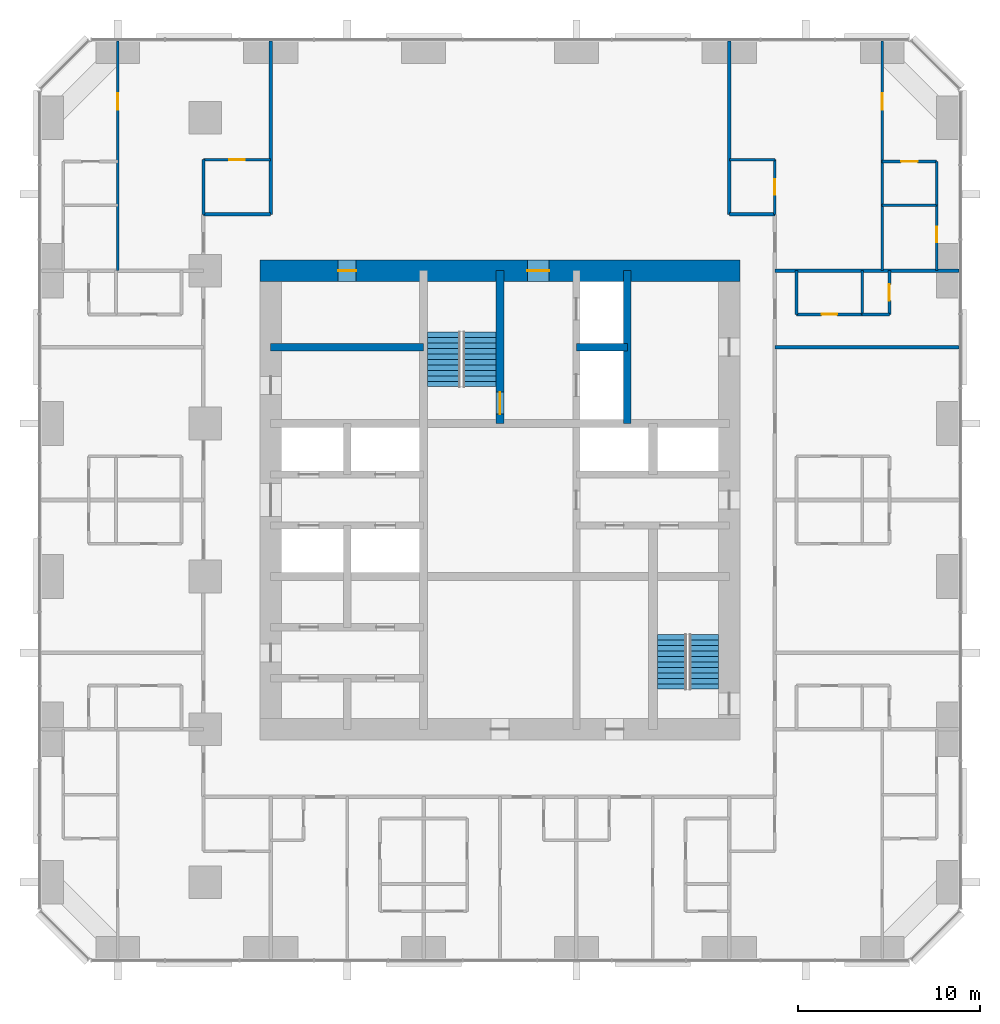
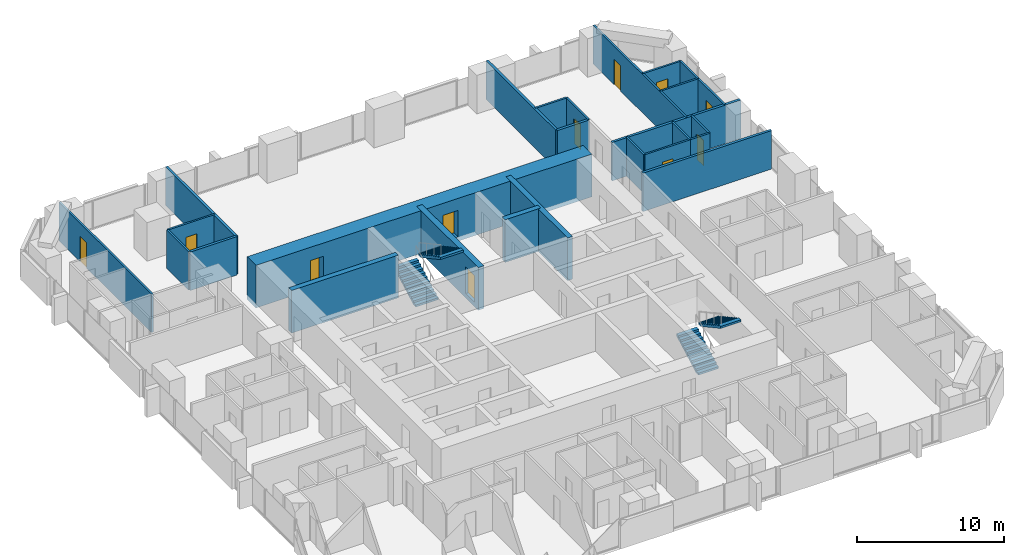
# One storey, part 12 of 13: 26 walls, 11 doors, 4 stair flights, 11 openings, 2 elements without a shape of their own.
"""IFC4 building model written with IfcOpenShell, lengths in metres."""

from ifc_helpers import new_model, si_unit, direction, frame, frame_2d, origin, place, context, subcontext, project, spatial, polyline, rectangle, outline, extrude, material, layer, layer_set, type_object, element, fill, aggregate, save


model = new_model("IFC4")

# Units and contexts
model_context = context("Model", 3, precision=1e-05, world=origin(), true_north=direction((0.0, 1.0)))
body_context = subcontext(model_context, "Body", "Model", "MODEL_VIEW")
ifc_project = project(units=[si_unit("LENGTHUNIT", "METRE"), si_unit("AREAUNIT", "SQUARE_METRE"), si_unit("VOLUMEUNIT", "CUBIC_METRE"), si_unit("PLANEANGLEUNIT", "RADIAN"), si_unit("MASSUNIT", "GRAM", prefix="KILO")], contexts=[model_context])

# Site, building, storey
site_placement = place(None, origin())
site = spatial("IfcSite", under=ifc_project, at=site_placement, CompositionType="ELEMENT")
building_placement = place(site_placement, origin())
building = spatial("IfcBuilding", under=site, at=building_placement, Name="Dunama Terrace Hotel", CompositionType="ELEMENT")
storey_placement = place(building_placement, frame((0.0, 0.0, 216.60009765625)))
storey = spatial("IfcBuildingStorey", under=building, at=storey_placement, Name="L56", CompositionType="ELEMENT", Elevation=216.60009765625)

# Wall
ifc_material_1 = material(Name="Gypsum board partition", Category="masonry")
ifc_layer_1 = layer(ifc_material_1, 0.14990234375)
ifc_layer_set_1 = layer_set([ifc_layer_1], Name="Bathroom partition 150")
wall_type_1 = type_object("IfcWallType", Name="Bathroom partition 150", PredefinedType="PARTITIONING", material=ifc_layer_set_1)
wall_1_placement = place(storey_placement, frame((13.10009765625, 45.10009765625, 0.0), z_axis=(0.0, 0.0, 1.0), x_axis=(0.0, 1.0, 0.0)))
element("IfcWall", 1, at=wall_1_placement, inside=storey, type_object=wall_type_1, Name="Bathroom partition 150 L56", PredefinedType="PARTITIONING", context=body_context, shape_type="SweptSolid", body=[
    extrude(rectangle(XDim=3.0, YDim=0.14990234375, at=frame_2d((1.5, 0.0))), origin(), (0.0, 0.0, 1.0), 3.199951171875),
])

# Wall, opening, door
wall_2_placement = place(storey_placement, frame((44.5, 45.10009765625, 0.0), z_axis=(0.0, 0.0, 1.0), x_axis=(0.0, 1.0, 0.0)))
wall_2 = element("IfcWall", 2, at=wall_2_placement, inside=storey, type_object=wall_type_1, Name="Bathroom partition 150 L56", PredefinedType="PARTITIONING", context=body_context, shape_type="SweptSolid", body=[
    extrude(rectangle(XDim=3.0, YDim=0.14990234375, at=frame_2d((1.5, 0.0))), origin(), (0.0, 0.0, 1.0), 3.199951171875),
])
opening_1_placement = place(wall_2_placement, frame((1.074951171875, 0.0, 0.0)))
opening_1 = element("IfcOpeningElement", 3, at=opening_1_placement, cuts=wall_2, Name="Opening L56-059", PredefinedType="OPENING", context=body_context, shape_type="SweptSolid", body=[
    extrude(rectangle(XDim=0.85009765625, YDim=2.10009765625, at=frame_2d((0.425048828125, 1.050048828125))), frame((0.0, 0.0849609375, 0.0), z_axis=(0.0, -1.0, 0.0), x_axis=(1.0, 0.0, 0.0)), (0.0, 0.0, 1.0), 0.169921875),
])
ifc_material_2 = material(Name="Timber door with steel frame", Category="steel")
door_type_1 = type_object("IfcDoorType", Name="Bathroom door 850", OperationType="SINGLE_SWING_LEFT", PredefinedType="DOOR", material=ifc_material_2)
door_1_placement = place(opening_1_placement, origin())
door_1 = element("IfcDoor", 4, at=door_1_placement, inside=storey, type_object=door_type_1, Name="Door to powder room L56-059, type D2", OperationType="SINGLE_SWING_LEFT", OverallHeight=2.10009765625, OverallWidth=0.85009765625, PredefinedType="DOOR", context=body_context, shape_type="SweptSolid", body=[
    extrude(rectangle(XDim=0.85009765625, YDim=2.10009765625, at=frame_2d((0.425048828125, 1.050048828125))), frame((0.0, 0.02490234375, 0.0), z_axis=(0.0, -1.0, 0.0), x_axis=(1.0, 0.0, 0.0)), (0.0, 0.0, 1.0), 0.050048828125),
])
fill(opening_1, door_1)

# Wall
wall_3_placement = place(storey_placement, frame((45.699951171875, 39.60009765625, 0.0), z_axis=(0.0, 0.0, 1.0), x_axis=(0.0, 1.0, 0.0)))
element("IfcWall", 5, at=wall_3_placement, inside=storey, type_object=wall_type_1, Name="Bathroom partition 150 L56", PredefinedType="PARTITIONING", context=body_context, shape_type="SweptSolid", body=[
    extrude(rectangle(XDim=2.39990234375, YDim=0.14990234375, at=frame_2d((1.199951171875, 0.0))), origin(), (0.0, 0.0, 1.0), 3.199951171875),
])

# Wall, opening, door
wall_4_placement = place(storey_placement, frame((53.39990234375, 42.0, 0.0), z_axis=(0.0, 0.0, 1.0), x_axis=(0.0, 1.0, 0.0)))
wall_4 = element("IfcWall", 6, at=wall_4_placement, inside=storey, type_object=wall_type_1, Name="Bathroom partition 150 L56", PredefinedType="PARTITIONING", context=body_context, shape_type="SweptSolid", body=[
    extrude(rectangle(XDim=3.60009765625, YDim=0.14990234375, at=frame_2d((1.800048828125, 0.0))), origin(), (0.0, 0.0, 1.0), 3.199951171875),
])
opening_2_placement = place(wall_4_placement, frame((1.574951171875, 0.0, 0.0)))
opening_2 = element("IfcOpeningElement", 7, at=opening_2_placement, cuts=wall_4, Name="Opening L56-061", PredefinedType="OPENING", context=body_context, shape_type="SweptSolid", body=[
    extrude(rectangle(XDim=0.85009765625, YDim=2.10009765625, at=frame_2d((0.425048828125, 1.050048828125))), frame((0.0, 0.0849609375, 0.0), z_axis=(0.0, -1.0, 0.0), x_axis=(1.0, 0.0, 0.0)), (0.0, 0.0, 1.0), 0.169921875),
])
door_2_placement = place(opening_2_placement, origin())
door_2 = element("IfcDoor", 8, at=door_2_placement, inside=storey, type_object=door_type_1, Name="Door to en-suite bathroom L56-061, type D2", OperationType="SINGLE_SWING_LEFT", OverallHeight=2.10009765625, OverallWidth=0.85009765625, PredefinedType="DOOR", context=body_context, shape_type="SweptSolid", body=[
    extrude(rectangle(XDim=0.85009765625, YDim=2.10009765625, at=frame_2d((0.425048828125, 1.050048828125))), frame((0.0, 0.02490234375, 0.0), z_axis=(0.0, -1.0, 0.0), x_axis=(1.0, 0.0, 0.0)), (0.0, 0.0, 1.0), 0.050048828125),
])
fill(opening_2, door_2)

wall_5_placement = place(storey_placement, frame((45.699951171875, 39.60009765625, 0.0), z_axis=(0.0, 0.0, 1.0), x_axis=(1.0, 0.0, 0.0)))
wall_5 = element("IfcWall", 9, at=wall_5_placement, inside=storey, type_object=wall_type_1, Name="Bathroom partition 150 L56", PredefinedType="PARTITIONING", context=body_context, shape_type="SweptSolid", body=[
    extrude(rectangle(XDim=3.60009765625, YDim=0.14990234375, at=frame_2d((1.800048828125, 0.0))), origin(), (0.0, 0.0, 1.0), 3.199951171875),
])
opening_3_placement = place(wall_5_placement, frame((1.375, 0.0, 0.0)))
opening_3 = element("IfcOpeningElement", 10, at=opening_3_placement, cuts=wall_5, Name="Opening L56-034", PredefinedType="OPENING", context=body_context, shape_type="SweptSolid", body=[
    extrude(rectangle(XDim=0.85009765625, YDim=2.10009765625, at=frame_2d((0.425048828125, 1.050048828125))), frame((0.0, 0.0849609375, 0.0), z_axis=(0.0, -1.0, 0.0), x_axis=(1.0, 0.0, 0.0)), (0.0, 0.0, 1.0), 0.169921875),
])
door_3_placement = place(opening_3_placement, origin())
door_3 = element("IfcDoor", 11, at=door_3_placement, inside=storey, type_object=door_type_1, Name="Door to en-suite bathroom L56-034, type D2", OperationType="SINGLE_SWING_RIGHT", OverallHeight=2.10009765625, OverallWidth=0.85009765625, PredefinedType="DOOR", context=body_context, shape_type="SweptSolid", body=[
    extrude(rectangle(XDim=0.85009765625, YDim=2.10009765625, at=frame_2d((0.425048828125, 1.050048828125))), frame((0.0, 0.02490234375, 0.0), z_axis=(0.0, -1.0, 0.0), x_axis=(1.0, 0.0, 0.0)), (0.0, 0.0, 1.0), 0.050048828125),
])
fill(opening_3, door_3)

wall_6_placement = place(storey_placement, frame((13.10009765625, 48.10009765625, 0.0), z_axis=(0.0, 0.0, 1.0), x_axis=(1.0, 0.0, 0.0)))
wall_6 = element("IfcWall", 12, at=wall_6_placement, inside=storey, type_object=wall_type_1, Name="Bathroom partition 150 L56", PredefinedType="PARTITIONING", context=body_context, shape_type="SweptSolid", body=[
    extrude(rectangle(XDim=3.699951171875, YDim=0.14990234375, at=frame_2d((1.85009765625, 0.0))), origin(), (0.0, 0.0, 1.0), 3.199951171875),
])
opening_4_placement = place(wall_6_placement, frame((1.425048828125, 0.0, 0.0)))
opening_4 = element("IfcOpeningElement", 13, at=opening_4_placement, cuts=wall_6, Name="Opening L56-064", PredefinedType="OPENING", context=body_context, shape_type="SweptSolid", body=[
    extrude(rectangle(XDim=0.85009765625, YDim=2.10009765625, at=frame_2d((0.425048828125, 1.050048828125))), frame((0.0, 0.0849609375, 0.0), z_axis=(0.0, -1.0, 0.0), x_axis=(1.0, 0.0, 0.0)), (0.0, 0.0, 1.0), 0.169921875),
])
door_4_placement = place(opening_4_placement, frame((0.85009765625, 0.0, 0.0), z_axis=(0.0, 0.0, 1.0), x_axis=(-1.0, 0.0, 0.0)))
door_4 = element("IfcDoor", 14, at=door_4_placement, inside=storey, type_object=door_type_1, Name="Door to powder room L56-064, type D2", OperationType="SINGLE_SWING_LEFT", OverallHeight=2.10009765625, OverallWidth=0.85009765625, PredefinedType="DOOR", context=body_context, shape_type="SweptSolid", body=[
    extrude(rectangle(XDim=0.85009765625, YDim=2.10009765625, at=frame_2d((0.425048828125, 1.050048828125))), frame((0.0, 0.025146484375, 0.0), z_axis=(0.0, -1.0, 0.0), x_axis=(1.0, 0.0, 0.0)), (0.0, 0.0, 1.0), 0.050048828125),
])
fill(opening_4, door_4)

# Walls
wall_7_placement = place(storey_placement, frame((42.0, 48.10009765625, 0.0), z_axis=(0.0, 0.0, 1.0), x_axis=(1.0, 0.0, 0.0)))
element("IfcWall", 15, at=wall_7_placement, inside=storey, type_object=wall_type_1, Name="Bathroom partition 150 L56", PredefinedType="PARTITIONING", context=body_context, shape_type="SweptSolid", body=[
    extrude(rectangle(XDim=2.5, YDim=0.14990234375, at=frame_2d((1.25, 0.0))), origin(), (0.0, 0.0, 1.0), 3.199951171875),
])
ifc_material_3 = material(Name="Concrete C50/60", Category="concrete")
ifc_layer_2 = layer(ifc_material_3, 0.39990234375)
ifc_layer_set_2 = layer_set([ifc_layer_2], Name="Core inner wall 400")
wall_type_2 = type_object("IfcWallType", Name="Core inner wall 400", PredefinedType="SHEAR", material=ifc_layer_set_2)
for number, where, z_axis, x_axis, name in (
    (16, (36.39990234375, 33.60009765625, -0.35009765625), (0.0, 0.0, 1.0), (0.0, 1.0, 0.0), "Core inner wall 400 L56"),
    (17, (16.800048828125, 37.800048828125, -0.35009765625), (0.0, 0.0, 1.0), (1.0, 0.0, 0.0), "Core inner wall 400 L56"),
):
    element("IfcWall", number, at=place(storey_placement, frame(where, z_axis=z_axis, x_axis=x_axis)), inside=storey, type_object=wall_type_2, Name=name, PredefinedType="SHEAR", context=body_context, shape_type="SweptSolid", body=[
        extrude(rectangle(XDim=8.39990234375, YDim=0.39990234375, at=frame_2d((4.199951171875, 0.0))), origin(), (0.0, 0.0, 1.0), 3.550048828125),
    ])
wall_8_placement = place(storey_placement, frame((33.60009765625, 37.800048828125, -0.35009765625), z_axis=(0.0, 0.0, 1.0), x_axis=(1.0, 0.0, 0.0)))
element("IfcWall", 18, at=wall_8_placement, inside=storey, type_object=wall_type_2, Name="Core inner wall 400 L56", PredefinedType="SHEAR", context=body_context, shape_type="SweptSolid", body=[
    extrude(rectangle(XDim=2.7998046875, YDim=0.39990234375, at=frame_2d((1.39990234375, 0.0))), origin(), (0.0, 0.0, 1.0), 3.550048828125),
])

# Wall, opening, door
ifc_material_4 = material(Name="Concrete C50/60", Category="concrete")
ifc_layer_3 = layer(ifc_material_4, 0.449951171875)
ifc_layer_set_3 = layer_set([ifc_layer_3], Name="Core inner wall 450")
wall_type_3 = type_object("IfcWallType", Name="Core inner wall 450", PredefinedType="SHEAR", material=ifc_layer_set_3)
wall_9_placement = place(storey_placement, frame((29.39990234375, 33.60009765625, -0.35009765625), z_axis=(0.0, 0.0, 1.0), x_axis=(0.0, 1.0, 0.0)))
wall_9 = element("IfcWall", 19, at=wall_9_placement, inside=storey, type_object=wall_type_3, Name="Core inner wall 450 L56", PredefinedType="SHEAR", context=body_context, shape_type="SweptSolid", body=[
    extrude(rectangle(XDim=8.39990234375, YDim=0.449951171875, at=frame_2d((4.199951171875, 0.0))), origin(), (0.0, 0.0, 1.0), 3.550048828125),
])
opening_5_placement = place(wall_9_placement, frame((0.52490234375, 0.0, 0.35009765625)))
opening_5 = element("IfcOpeningElement", 20, at=opening_5_placement, cuts=wall_9, Name="Opening L56-001", PredefinedType="OPENING", context=body_context, shape_type="SweptSolid", body=[
    extrude(rectangle(XDim=1.199951171875, YDim=2.199951171875, at=frame_2d((0.60009765625, 1.10009765625))), frame((0.0, 0.23486328125, 0.0), z_axis=(0.0, -1.0, 0.0), x_axis=(1.0, 0.0, 0.0)), (0.0, 0.0, 1.0), 0.469970703125),
])
ifc_material_5 = material(Name="Timber door with steel frame", Category="steel")
door_type_2 = type_object("IfcDoorType", Name="Stair door 1200", OperationType="SINGLE_SWING_LEFT", PredefinedType="DOOR", material=ifc_material_5)
door_5_placement = place(opening_5_placement, origin())
door_5 = element("IfcDoor", 21, at=door_5_placement, inside=storey, type_object=door_type_2, Name="Stair door ST1 L56-001, type D5", OperationType="SINGLE_SWING_LEFT", OverallHeight=2.199951171875, OverallWidth=1.199951171875, PredefinedType="DOOR", context=body_context, shape_type="SweptSolid", body=[
    extrude(rectangle(XDim=1.199951171875, YDim=2.199951171875, at=frame_2d((0.60009765625, 1.10009765625))), frame((0.0, 0.02490234375, 0.0), z_axis=(0.0, -1.0, 0.0), x_axis=(1.0, 0.0, 0.0)), (0.0, 0.0, 1.0), 0.050048828125),
])
fill(opening_5, door_5)

# Wall, openings, doors
ifc_material_6 = material(Name="Concrete C60/75", Category="concrete")
ifc_layer_4 = layer(ifc_material_6, 1.199951171875)
ifc_layer_set_4 = layer_set([ifc_layer_4], Name="Core wall 1200")
wall_type_4 = type_object("IfcWallType", Name="Core wall 1200", PredefinedType="SHEAR", material=ifc_layer_set_4)
wall_10_placement = place(storey_placement, frame((42.60009765625, 42.0, -0.35009765625), z_axis=(0.0, 0.0, 1.0), x_axis=(-1.0, 0.0, 0.0)))
wall_10 = element("IfcWall", 22, at=wall_10_placement, inside=storey, type_object=wall_type_4, Name="Core wall north L56", PredefinedType="SHEAR", context=body_context, shape_type="SweptSolid", body=[
    extrude(rectangle(XDim=26.400146484375, YDim=1.199951171875, at=frame_2d((13.2001953125, 0.0))), origin(), (0.0, 0.0, 1.0), 3.550048828125),
])
opening_6_placement = place(wall_10_placement, frame((21.10009765625, 0.0, 0.35009765625)))
opening_6 = element("IfcOpeningElement", 23, at=opening_6_placement, cuts=wall_10, Name="Opening L56-075", PredefinedType="OPENING", context=body_context, shape_type="SweptSolid", body=[
    extrude(rectangle(XDim=1.0, YDim=2.10009765625, at=frame_2d((0.5, 1.050048828125))), frame((0.0, 0.60986328125, 0.0), z_axis=(0.0, -1.0, 0.0), x_axis=(1.0, 0.0, 0.0)), (0.0, 0.0, 1.0), 1.219970703125),
])
opening_7_placement = place(wall_10_placement, frame((10.5, 0.0, 0.35009765625)))
opening_7 = element("IfcOpeningElement", 24, at=opening_7_placement, cuts=wall_10, Name="Opening L56-080", PredefinedType="OPENING", context=body_context, shape_type="SweptSolid", body=[
    extrude(rectangle(XDim=1.199951171875, YDim=2.199951171875, at=frame_2d((0.60009765625, 1.10009765625))), frame((0.0, 0.60986328125, 0.0), z_axis=(0.0, -1.0, 0.0), x_axis=(1.0, 0.0, 0.0)), (0.0, 0.0, 1.0), 1.219970703125),
])
ifc_material_7 = material(Name="Timber door with steel frame", Category="steel")
door_type_3 = type_object("IfcDoorType", Name="Firefighting lobby door 1200", OperationType="SINGLE_SWING_LEFT", PredefinedType="DOOR", material=ifc_material_7)
door_6_placement = place(opening_7_placement, origin())
door_6 = element("IfcDoor", 25, at=door_6_placement, inside=storey, type_object=door_type_3, Name="Door to firefighting lobby L56-080, type D4", OperationType="SINGLE_SWING_RIGHT", OverallHeight=2.199951171875, OverallWidth=1.199951171875, PredefinedType="DOOR", context=body_context, shape_type="SweptSolid", body=[
    extrude(rectangle(XDim=1.199951171875, YDim=2.199951171875, at=frame_2d((0.60009765625, 1.10009765625))), frame((0.0, 0.02490234375, 0.0), z_axis=(0.0, -1.0, 0.0), x_axis=(1.0, 0.0, 0.0)), (0.0, 0.0, 1.0), 0.050048828125),
])
fill(opening_7, door_6)
ifc_material_8 = material(Name="Timber door with steel frame", Category="steel")
door_type_4 = type_object("IfcDoorType", Name="Service door 1000", OperationType="SINGLE_SWING_LEFT", PredefinedType="DOOR", material=ifc_material_8)
door_7_placement = place(opening_6_placement, origin())
door_7 = element("IfcDoor", 26, at=door_7_placement, inside=storey, type_object=door_type_4, Name="Door to communications and riser room L56-075, type D7", OperationType="SINGLE_SWING_LEFT", OverallHeight=2.10009765625, OverallWidth=1.0, PredefinedType="DOOR", context=body_context, shape_type="SweptSolid", body=[
    extrude(rectangle(XDim=1.0, YDim=2.10009765625, at=frame_2d((0.5, 1.050048828125))), frame((0.0, 0.02490234375, 0.0), z_axis=(0.0, -1.0, 0.0), x_axis=(1.0, 0.0, 0.0)), (0.0, 0.0, 1.0), 0.050048828125),
])
fill(opening_6, door_7)

# Walls
ifc_material_9 = material(Name="Concrete blockwork", Category="masonry")
ifc_layer_5 = layer(ifc_material_9, 0.199951171875)
ifc_layer_set_5 = layer_set([ifc_layer_5], Name="Corridor partition 200")
wall_type_5 = type_object("IfcWallType", Name="Corridor partition 200", PredefinedType="PARTITIONING", material=ifc_layer_set_5)
wall_11_placement = place(storey_placement, frame((16.800048828125, 45.10009765625, 0.0), z_axis=(0.0, 0.0, 1.0), x_axis=(0.0, 1.0, 0.0)))
element("IfcWall", 27, at=wall_11_placement, inside=storey, type_object=wall_type_5, Name="Corridor partition 200 L56", PredefinedType="PARTITIONING", context=body_context, shape_type="SweptSolid", body=[
    extrude(rectangle(XDim=9.517822265625, YDim=0.199951171875, at=frame_2d((4.7587890625, 0.0))), origin(), (0.0, 0.0, 1.0), 3.199951171875),
])
wall_12_placement = place(storey_placement, frame((13.10009765625, 45.10009765625, 0.0), z_axis=(0.0, 0.0, 1.0), x_axis=(1.0, 0.0, 0.0)))
element("IfcWall", 28, at=wall_12_placement, inside=storey, type_object=wall_type_5, Name="Corridor partition 200 L56", PredefinedType="PARTITIONING", context=body_context, shape_type="SweptSolid", body=[
    extrude(rectangle(XDim=3.699951171875, YDim=0.199951171875, at=frame_2d((1.85009765625, 0.0))), origin(), (0.0, 0.0, 1.0), 3.199951171875),
])
wall_13_placement = place(storey_placement, frame((42.0, 45.10009765625, 0.0), z_axis=(0.0, 0.0, 1.0), x_axis=(1.0, 0.0, 0.0)))
element("IfcWall", 29, at=wall_13_placement, inside=storey, type_object=wall_type_5, Name="Corridor partition 200 L56", PredefinedType="PARTITIONING", context=body_context, shape_type="SweptSolid", body=[
    extrude(rectangle(XDim=2.5, YDim=0.199951171875, at=frame_2d((1.25, 0.0))), origin(), (0.0, 0.0, 1.0), 3.199951171875),
])
wall_14_placement = place(storey_placement, frame((42.0, 54.617919921875, 0.0), z_axis=(0.0, 0.0, 1.0), x_axis=(0.0, -1.0, 0.0)))
element("IfcWall", 30, at=wall_14_placement, inside=storey, type_object=wall_type_5, Name="Corridor partition 200 L56", PredefinedType="PARTITIONING", context=body_context, shape_type="SweptSolid", body=[
    extrude(rectangle(XDim=9.517822265625, YDim=0.199951171875, at=frame_2d((4.7587890625, 0.0))), origin(), (0.0, 0.0, 1.0), 3.199951171875),
])
ifc_material_10 = material(Name="Concrete blockwork", Category="masonry")
ifc_layer_6 = layer(ifc_material_10, 0.199951171875)
ifc_layer_set_6 = layer_set([ifc_layer_6], Name="Party wall 200")
wall_type_6 = type_object("IfcWallType", Name="Party wall 200", PredefinedType="PARTITIONING", material=ifc_layer_set_6)
for number, where, z_axis, x_axis, name in (
    (31, (44.5, 37.800048828125, 0.0), (0.0, 0.0, 1.0), (1.0, 0.0, 0.0), "Party wall 200 L56"),
    (32, (44.5, 42.0, 0.0), (0.0, 0.0, 1.0), (1.0, 0.0, 0.0), "Party wall 200 L56"),
):
    element("IfcWall", number, at=place(storey_placement, frame(where, z_axis=z_axis, x_axis=x_axis)), inside=storey, type_object=wall_type_6, Name=name, PredefinedType="PARTITIONING", context=body_context, shape_type="SweptSolid", body=[
        extrude(rectangle(XDim=10.117919921875, YDim=0.199951171875, at=frame_2d((5.05908203125, 0.0))), origin(), (0.0, 0.0, 1.0), 3.199951171875),
    ])

# Wall, opening, door
ifc_material_11 = material(Name="Gypsum board partition", Category="masonry")
ifc_layer_7 = layer(ifc_material_11, 0.14990234375)
ifc_layer_set_7 = layer_set([ifc_layer_7], Name="Room partition 150")
wall_type_7 = type_object("IfcWallType", Name="Room partition 150", PredefinedType="PARTITIONING", material=ifc_layer_set_7)
wall_15_placement = place(storey_placement, frame((8.39990234375, 42.0, 0.0), z_axis=(0.0, 0.0, 1.0), x_axis=(0.0, 1.0, 0.0)))
wall_15 = element("IfcWall", 33, at=wall_15_placement, inside=storey, type_object=wall_type_7, Name="Room partition 150 L56", PredefinedType="PARTITIONING", context=body_context, shape_type="SweptSolid", body=[
    extrude(rectangle(XDim=12.617919921875, YDim=0.14990234375, at=frame_2d((6.30908203125, 0.0))), origin(), (0.0, 0.0, 1.0), 3.199951171875),
])
opening_8_placement = place(wall_15_placement, frame((8.85009765625, 0.0, 0.0)))
opening_8 = element("IfcOpeningElement", 34, at=opening_8_placement, cuts=wall_15, Name="Opening L56-065", PredefinedType="OPENING", context=body_context, shape_type="SweptSolid", body=[
    extrude(rectangle(XDim=0.89990234375, YDim=2.10009765625, at=frame_2d((0.449951171875, 1.050048828125))), frame((0.0, 0.0849609375, 0.0), z_axis=(0.0, -1.0, 0.0), x_axis=(1.0, 0.0, 0.0)), (0.0, 0.0, 1.0), 0.169921875),
])
ifc_material_12 = material(Name="Timber door with steel frame", Category="steel")
door_type_5 = type_object("IfcDoorType", Name="Suite internal door 900", OperationType="SINGLE_SWING_LEFT", PredefinedType="DOOR", material=ifc_material_12)
door_8_placement = place(opening_8_placement, origin())
door_8 = element("IfcDoor", 35, at=door_8_placement, inside=storey, type_object=door_type_5, Name="Door to corner suite bedroom L56-065, type D16", OperationType="SINGLE_SWING_RIGHT", OverallHeight=2.10009765625, OverallWidth=0.89990234375, PredefinedType="DOOR", context=body_context, shape_type="SweptSolid", body=[
    extrude(rectangle(XDim=0.89990234375, YDim=2.10009765625, at=frame_2d((0.449951171875, 1.050048828125))), frame((0.0, 0.02490234375, 0.0), z_axis=(0.0, -1.0, 0.0), x_axis=(1.0, 0.0, 0.0)), (0.0, 0.0, 1.0), 0.050048828125),
])
fill(opening_8, door_8)

# Wall
wall_16_placement = place(storey_placement, frame((49.300048828125, 39.60009765625, 0.0), z_axis=(0.0, 0.0, 1.0), x_axis=(0.0, 1.0, 0.0)))
element("IfcWall", 36, at=wall_16_placement, inside=storey, type_object=wall_type_7, Name="Room partition 150 L56", PredefinedType="PARTITIONING", context=body_context, shape_type="SweptSolid", body=[
    extrude(rectangle(XDim=2.39990234375, YDim=0.14990234375, at=frame_2d((1.199951171875, 0.0))), origin(), (0.0, 0.0, 1.0), 3.199951171875),
])

# Wall, opening, door
wall_17_placement = place(storey_placement, frame((50.39990234375, 42.0, 0.0), z_axis=(0.0, 0.0, 1.0), x_axis=(0.0, 1.0, 0.0)))
wall_17 = element("IfcWall", 37, at=wall_17_placement, inside=storey, type_object=wall_type_7, Name="Room partition 150 L56", PredefinedType="PARTITIONING", context=body_context, shape_type="SweptSolid", body=[
    extrude(rectangle(XDim=12.617919921875, YDim=0.14990234375, at=frame_2d((6.30908203125, 0.0))), origin(), (0.0, 0.0, 1.0), 3.199951171875),
])
opening_9_placement = place(wall_17_placement, frame((8.85009765625, 0.0, 0.0)))
opening_9 = element("IfcOpeningElement", 38, at=opening_9_placement, cuts=wall_17, Name="Opening L56-060", PredefinedType="OPENING", context=body_context, shape_type="SweptSolid", body=[
    extrude(rectangle(XDim=0.89990234375, YDim=2.10009765625, at=frame_2d((0.449951171875, 1.050048828125))), frame((0.0, 0.0849609375, 0.0), z_axis=(0.0, -1.0, 0.0), x_axis=(1.0, 0.0, 0.0)), (0.0, 0.0, 1.0), 0.169921875),
])
door_9_placement = place(opening_9_placement, frame((0.89990234375, 0.0, 0.0), z_axis=(0.0, 0.0, 1.0), x_axis=(-1.0, 0.0, 0.0)))
door_9 = element("IfcDoor", 39, at=door_9_placement, inside=storey, type_object=door_type_5, Name="Door to corner suite bedroom L56-060, type D16", OperationType="SINGLE_SWING_LEFT", OverallHeight=2.10009765625, OverallWidth=0.89990234375, PredefinedType="DOOR", context=body_context, shape_type="SweptSolid", body=[
    extrude(rectangle(XDim=0.89990234375, YDim=2.10009765625, at=frame_2d((0.449951171875, 1.050048828125))), frame((0.0, 0.025146484375, 0.0), z_axis=(0.0, -1.0, 0.0), x_axis=(1.0, 0.0, 0.0)), (0.0, 0.0, 1.0), 0.050048828125),
])
fill(opening_9, door_9)

wall_18_placement = place(storey_placement, frame((50.800048828125, 39.60009765625, 0.0), z_axis=(0.0, 0.0, 1.0), x_axis=(0.0, 1.0, 0.0)))
wall_18 = element("IfcWall", 40, at=wall_18_placement, inside=storey, type_object=wall_type_7, Name="Room partition 150 L56", PredefinedType="PARTITIONING", context=body_context, shape_type="SweptSolid", body=[
    extrude(rectangle(XDim=2.39990234375, YDim=0.14990234375, at=frame_2d((1.199951171875, 0.0))), origin(), (0.0, 0.0, 1.0), 3.199951171875),
])
opening_10_placement = place(wall_18_placement, frame((0.75, 0.0, 0.0)))
opening_10 = element("IfcOpeningElement", 41, at=opening_10_placement, cuts=wall_18, Name="Opening L56-035", PredefinedType="OPENING", context=body_context, shape_type="SweptSolid", body=[
    extrude(rectangle(XDim=0.89990234375, YDim=2.10009765625, at=frame_2d((0.449951171875, 1.050048828125))), frame((0.0, 0.0849609375, 0.0), z_axis=(0.0, -1.0, 0.0), x_axis=(1.0, 0.0, 0.0)), (0.0, 0.0, 1.0), 0.169921875),
])
door_10_placement = place(opening_10_placement, origin())
door_10 = element("IfcDoor", 42, at=door_10_placement, inside=storey, type_object=door_type_5, Name="Door to walk-in wardrobe L56-035, type D16", OperationType="SINGLE_SWING_LEFT", OverallHeight=2.10009765625, OverallWidth=0.89990234375, PredefinedType="DOOR", context=body_context, shape_type="SweptSolid", body=[
    extrude(rectangle(XDim=0.89990234375, YDim=2.10009765625, at=frame_2d((0.449951171875, 1.050048828125))), frame((0.0, 0.02490234375, 0.0), z_axis=(0.0, -1.0, 0.0), x_axis=(1.0, 0.0, 0.0)), (0.0, 0.0, 1.0), 0.050048828125),
])
fill(opening_10, door_10)

# Walls
wall_19_placement = place(storey_placement, frame((53.39990234375, 45.60009765625, 0.0), z_axis=(0.0, 0.0, 1.0), x_axis=(0.0, 1.0, 0.0)))
element("IfcWall", 43, at=wall_19_placement, inside=storey, type_object=wall_type_7, Name="Room partition 150 L56", PredefinedType="PARTITIONING", context=body_context, shape_type="SweptSolid", body=[
    extrude(rectangle(XDim=2.39990234375, YDim=0.14990234375, at=frame_2d((1.199951171875, 0.0))), origin(), (0.0, 0.0, 1.0), 3.199951171875),
])
wall_20_placement = place(storey_placement, frame((49.300048828125, 39.60009765625, 0.0), z_axis=(0.0, 0.0, 1.0), x_axis=(1.0, 0.0, 0.0)))
element("IfcWall", 44, at=wall_20_placement, inside=storey, type_object=wall_type_7, Name="Room partition 150 L56", PredefinedType="PARTITIONING", context=body_context, shape_type="SweptSolid", body=[
    extrude(rectangle(XDim=1.5, YDim=0.14990234375, at=frame_2d((0.75, 0.0))), origin(), (0.0, 0.0, 1.0), 3.199951171875),
])
wall_21_placement = place(storey_placement, frame((50.39990234375, 45.60009765625, 0.0), z_axis=(0.0, 0.0, 1.0), x_axis=(1.0, 0.0, 0.0)))
element("IfcWall", 45, at=wall_21_placement, inside=storey, type_object=wall_type_7, Name="Room partition 150 L56", PredefinedType="PARTITIONING", context=body_context, shape_type="SweptSolid", body=[
    extrude(rectangle(XDim=3.0, YDim=0.14990234375, at=frame_2d((1.5, 0.0))), origin(), (0.0, 0.0, 1.0), 3.199951171875),
])

# Wall, opening, door
wall_22_placement = place(storey_placement, frame((50.39990234375, 48.0, 0.0), z_axis=(0.0, 0.0, 1.0), x_axis=(1.0, 0.0, 0.0)))
wall_22 = element("IfcWall", 46, at=wall_22_placement, inside=storey, type_object=wall_type_7, Name="Room partition 150 L56", PredefinedType="PARTITIONING", context=body_context, shape_type="SweptSolid", body=[
    extrude(rectangle(XDim=3.0, YDim=0.14990234375, at=frame_2d((1.5, 0.0))), origin(), (0.0, 0.0, 1.0), 3.199951171875),
])
opening_11_placement = place(wall_22_placement, frame((1.050048828125, 0.0, 0.0)))
opening_11 = element("IfcOpeningElement", 47, at=opening_11_placement, cuts=wall_22, Name="Opening L56-062", PredefinedType="OPENING", context=body_context, shape_type="SweptSolid", body=[
    extrude(rectangle(XDim=0.89990234375, YDim=2.10009765625, at=frame_2d((0.449951171875, 1.050048828125))), frame((0.0, 0.0849609375, 0.0), z_axis=(0.0, -1.0, 0.0), x_axis=(1.0, 0.0, 0.0)), (0.0, 0.0, 1.0), 0.169921875),
])
door_11_placement = place(opening_11_placement, frame((0.89990234375, 0.0, 0.0), z_axis=(0.0, 0.0, 1.0), x_axis=(-1.0, 0.0, 0.0)))
door_11 = element("IfcDoor", 48, at=door_11_placement, inside=storey, type_object=door_type_5, Name="Door to dressing room L56-062, type D16", OperationType="SINGLE_SWING_RIGHT", OverallHeight=2.10009765625, OverallWidth=0.89990234375, PredefinedType="DOOR", context=body_context, shape_type="SweptSolid", body=[
    extrude(rectangle(XDim=0.89990234375, YDim=2.10009765625, at=frame_2d((0.449951171875, 1.050048828125))), frame((0.0, 0.025146484375, 0.0), z_axis=(0.0, -1.0, 0.0), x_axis=(1.0, 0.0, 0.0)), (0.0, 0.0, 1.0), 0.050048828125),
])
fill(opening_11, door_11)

# Stair, stair flights
ifc_material_13 = material(Name="Concrete C40/50", Category="concrete")
stair_type_1 = type_object("IfcStairType", Name="Stair ST1-3600-1800", PredefinedType="HALF_TURN_STAIR", material=ifc_material_13)
stair_1_placement = place(storey_placement, origin())
stair_1 = element("IfcStair", 49, at=stair_1_placement, inside=storey, type_object=stair_type_1, Name="Stair ST1 L56", PredefinedType="HALF_TURN_STAIR")
ifc_material_14 = material(Name="Concrete C40/50", Category="concrete")
stair_flight_type_1 = type_object("IfcStairFlightType", Name="Stair flight ST1-3600-1800", PredefinedType="STRAIGHT", material=ifc_material_14)
stair_flight_1_placement = place(storey_placement, frame((26.324951171875, 35.625, 0.0), z_axis=(0.0, 0.0, 1.0), x_axis=(0.0, 1.0, 0.0)))
stair_flight_1 = element("IfcStairFlight", 50, at=stair_flight_1_placement, type_object=stair_flight_type_1, Name="ST1 flight 1", NumberOfRisers=11, NumberOfTreads=10, PredefinedType="STRAIGHT", RiserHeight=0.163636364, TreadLength=0.3, context=body_context, shape_type="SweptSolid", body=[
    extrude(outline(polyline([(0.0, 0.0), (0.0, 0.16357421875), (0.300048828125, 0.16357421875), (0.300048828125, 0.327392578125), (0.60009765625, 0.327392578125), (0.60009765625, 0.490966796875), (0.89990234375, 0.490966796875), (0.89990234375, 0.654541015625), (1.199951171875, 0.654541015625), (1.199951171875, 0.818115234375), (1.5, 0.818115234375), (1.5, 0.98193359375), (1.800048828125, 0.98193359375), (1.800048828125, 1.1455078125), (2.10009765625, 1.1455078125), (2.10009765625, 1.30908203125), (2.39990234375, 1.30908203125), (2.39990234375, 1.47265625), (2.699951171875, 1.47265625), (2.699951171875, 1.636474609375), (3.0, 1.636474609375), (3.0, 1.800048828125), (3.0, 1.465576171875), (0.31298828125, 0.0), (0.0, 0.0)])), frame((0.0, 0.89990234375, 0.0), z_axis=(0.0, -1.0, 0.0), x_axis=(1.0, 0.0, 0.0)), (0.0, 0.0, 1.0), 1.800048828125),
])
stair_flight_2_placement = place(storey_placement, frame((28.27490234375, 38.625, 1.7998046875), z_axis=(0.0, 0.0, 1.0), x_axis=(0.0, -1.0, 0.0)))
stair_flight_2 = element("IfcStairFlight", 51, at=stair_flight_2_placement, type_object=stair_flight_type_1, Name="ST1 flight 2", NumberOfRisers=11, NumberOfTreads=10, PredefinedType="STRAIGHT", RiserHeight=0.163636364, TreadLength=0.3, context=body_context, shape_type="SweptSolid", body=[
    extrude(outline(polyline([(0.0, 0.0), (0.0, 0.16357421875), (0.300048828125, 0.16357421875), (0.300048828125, 0.327392578125), (0.60009765625, 0.327392578125), (0.60009765625, 0.490966796875), (0.89990234375, 0.490966796875), (0.89990234375, 0.654541015625), (1.199951171875, 0.654541015625), (1.199951171875, 0.818115234375), (1.5, 0.818115234375), (1.5, 0.98193359375), (1.800048828125, 0.98193359375), (1.800048828125, 1.1455078125), (2.10009765625, 1.1455078125), (2.10009765625, 1.30908203125), (2.39990234375, 1.30908203125), (2.39990234375, 1.47265625), (2.699951171875, 1.47265625), (2.699951171875, 1.636474609375), (3.0, 1.636474609375), (3.0, 1.800048828125), (3.0, 1.465576171875), (0.31298828125, 0.0), (0.0, 0.0)])), frame((0.0, 0.89990234375, 0.0), z_axis=(0.0, -1.0, 0.0), x_axis=(1.0, 0.0, 0.0)), (0.0, 0.0, 1.0), 1.800048828125),
])
aggregate(stair_1, [stair_flight_1, stair_flight_2])

ifc_material_15 = material(Name="Concrete C40/50", Category="concrete")
stair_type_2 = type_object("IfcStairType", Name="Stair ST2-3600-1600", PredefinedType="HALF_TURN_STAIR", material=ifc_material_15)
stair_2_placement = place(storey_placement, origin())
stair_2 = element("IfcStair", 52, at=stair_2_placement, inside=storey, type_object=stair_type_2, Name="Stair ST2 L56", PredefinedType="HALF_TURN_STAIR")
ifc_material_16 = material(Name="Concrete C40/50", Category="concrete")
stair_flight_type_2 = type_object("IfcStairFlightType", Name="Stair flight ST2-3600-1600", PredefinedType="STRAIGHT", material=ifc_material_16)
stair_flight_3_placement = place(storey_placement, frame((38.85009765625, 19.0, 0.0), z_axis=(0.0, 0.0, 1.0), x_axis=(0.0, 1.0, 0.0)))
stair_flight_3 = element("IfcStairFlight", 53, at=stair_flight_3_placement, type_object=stair_flight_type_2, Name="ST2 flight 1", NumberOfRisers=11, NumberOfTreads=10, PredefinedType="STRAIGHT", RiserHeight=0.163636364, TreadLength=0.3, context=body_context, shape_type="SweptSolid", body=[
    extrude(outline(polyline([(0.0, 0.0), (0.0, 0.16357421875), (0.300048828125, 0.16357421875), (0.300048828125, 0.327392578125), (0.60009765625, 0.327392578125), (0.60009765625, 0.490966796875), (0.89990234375, 0.490966796875), (0.89990234375, 0.654541015625), (1.199951171875, 0.654541015625), (1.199951171875, 0.818115234375), (1.5, 0.818115234375), (1.5, 0.98193359375), (1.800048828125, 0.98193359375), (1.800048828125, 1.1455078125), (2.10009765625, 1.1455078125), (2.10009765625, 1.30908203125), (2.39990234375, 1.30908203125), (2.39990234375, 1.47265625), (2.699951171875, 1.47265625), (2.699951171875, 1.636474609375), (3.0, 1.636474609375), (3.0, 1.800048828125), (3.0, 1.465576171875), (0.31298828125, 0.0), (0.0, 0.0)])), frame((0.0, 0.800048828125, 0.0), z_axis=(0.0, -1.0, 0.0), x_axis=(1.0, 0.0, 0.0)), (0.0, 0.0, 1.0), 1.60009765625),
])
stair_flight_4_placement = place(storey_placement, frame((40.60009765625, 22.0, 1.7998046875), z_axis=(0.0, 0.0, 1.0), x_axis=(0.0, -1.0, 0.0)))
stair_flight_4 = element("IfcStairFlight", 54, at=stair_flight_4_placement, type_object=stair_flight_type_2, Name="ST2 flight 2", NumberOfRisers=11, NumberOfTreads=10, PredefinedType="STRAIGHT", RiserHeight=0.163636364, TreadLength=0.3, context=body_context, shape_type="SweptSolid", body=[
    extrude(outline(polyline([(0.0, 0.0), (0.0, 0.16357421875), (0.300048828125, 0.16357421875), (0.300048828125, 0.327392578125), (0.60009765625, 0.327392578125), (0.60009765625, 0.490966796875), (0.89990234375, 0.490966796875), (0.89990234375, 0.654541015625), (1.199951171875, 0.654541015625), (1.199951171875, 0.818115234375), (1.5, 0.818115234375), (1.5, 0.98193359375), (1.800048828125, 0.98193359375), (1.800048828125, 1.1455078125), (2.10009765625, 1.1455078125), (2.10009765625, 1.30908203125), (2.39990234375, 1.30908203125), (2.39990234375, 1.47265625), (2.699951171875, 1.47265625), (2.699951171875, 1.636474609375), (3.0, 1.636474609375), (3.0, 1.800048828125), (3.0, 1.465576171875), (0.31298828125, 0.0), (0.0, 0.0)])), frame((0.0, 0.800048828125, 0.0), z_axis=(0.0, -1.0, 0.0), x_axis=(1.0, 0.0, 0.0)), (0.0, 0.0, 1.0), 1.60009765625),
])
aggregate(stair_2, [stair_flight_3, stair_flight_4])

save(model, "model.ifc")
